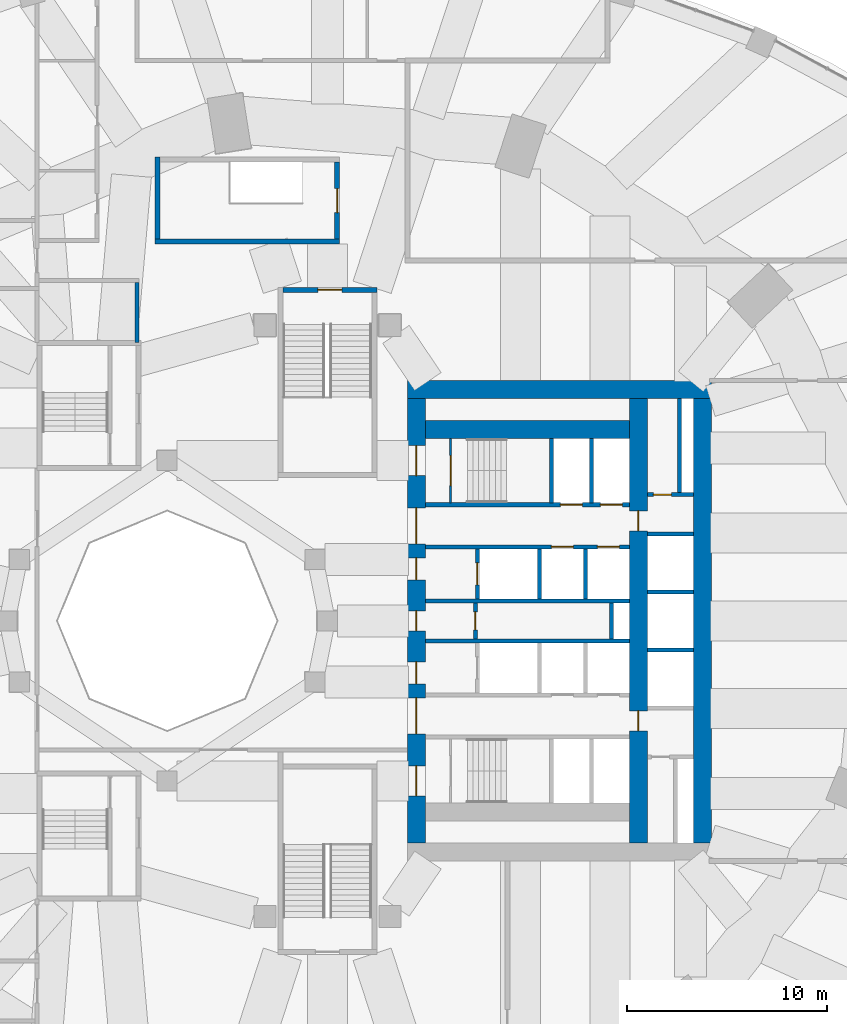
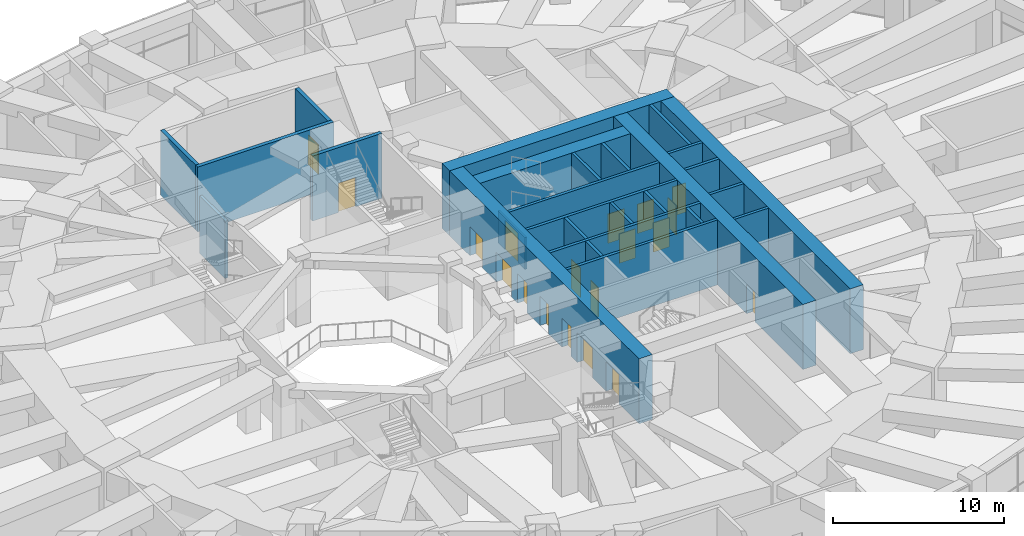
# One storey, part 23 of 30: 27 walls, 19 doors, 19 openings.
"""IFC4 building model written with IfcOpenShell, lengths in metres."""

from ifc_helpers import new_model, si_unit, direction, frame, frame_2d, origin, place, context, subcontext, project, spatial, rectangle, extrude, material, layer, layer_set, type_object, element, fill, save


model = new_model("IFC4")

# Units and contexts
model_context = context("Model", 3, precision=1e-05, world=origin(), true_north=direction((0.0, 1.0)))
body_context = subcontext(model_context, "Body", "Model", "MODEL_VIEW")
ifc_project = project(units=[si_unit("LENGTHUNIT", "METRE"), si_unit("AREAUNIT", "SQUARE_METRE"), si_unit("VOLUMEUNIT", "CUBIC_METRE"), si_unit("PLANEANGLEUNIT", "RADIAN"), si_unit("MASSUNIT", "GRAM", prefix="KILO")], contexts=[model_context])

# Site, building, storey
site_placement = place(None, origin())
site = spatial("IfcSite", under=ifc_project, at=site_placement, CompositionType="ELEMENT")
building_placement = place(site_placement, origin())
building = spatial("IfcBuilding", under=site, at=building_placement, Name="Taillehof Tower", CompositionType="ELEMENT")
storey_placement = place(building_placement, frame((0.0, 0.0, 12.5)))
storey = spatial("IfcBuildingStorey", under=building, at=storey_placement, Name="L02", CompositionType="ELEMENT", Elevation=12.5)

# Wall
ifc_material_1 = material(Name="Calcium silicate blockwork", Category="masonry")
ifc_layer_1 = layer(ifc_material_1, 0.199951171875)
ifc_layer_set_1 = layer_set([ifc_layer_1], Name="Compartment wall EI 60 200 mm")
wall_type_1 = type_object("IfcWallType", Name="Compartment wall EI 60 200 mm", PredefinedType="PARTITIONING", material=ifc_layer_set_1)
wall_1_placement = place(storey_placement, frame((-9.5, 13.89990234375, 0.0), z_axis=(0.0, 0.0, 1.0), x_axis=(0.0, 1.0, 0.0)))
element("IfcWall", 1, at=wall_1_placement, inside=storey, type_object=wall_type_1, Name="Wall L02-09 / L02-26", PredefinedType="PARTITIONING", context=body_context, shape_type="SweptSolid", body=[
    extrude(rectangle(XDim=3.0, YDim=0.199951171875, at=frame_2d((1.5, 0.0))), origin(), (0.0, 0.0, 1.0), 4.10009765625),
])

# Wall, opening, door
ifc_material_2 = material(Name="Calcium silicate masonry", Category="masonry")
ifc_layer_2 = layer(ifc_material_2, 0.199951171875)
ifc_layer_set_2 = layer_set([ifc_layer_2], Name="Compartment wall calcium silicate 200")
wall_type_2 = type_object("IfcWallType", Name="Compartment wall calcium silicate 200", PredefinedType="PARTITIONING", material=ifc_layer_set_2)
wall_2_placement = place(storey_placement, frame((7.39990234375, -0.89990234375, 0.0), z_axis=(0.0, 0.0, 1.0), x_axis=(0.0, 1.0, 0.0)))
wall_2 = element("IfcWall", 2, at=wall_2_placement, inside=storey, type_object=wall_type_2, Name="Compartment wall FW", PredefinedType="PARTITIONING", context=body_context, shape_type="SweptSolid", body=[
    extrude(rectangle(XDim=1.7998046875, YDim=0.199951171875, at=frame_2d((0.89990234375, 0.0))), origin(), (0.0, 0.0, 1.0), 4.64990234375),
])
opening_1_placement = place(wall_2_placement, frame((0.449951171875, 0.0, 0.0)))
opening_1 = element("IfcOpeningElement", 3, at=opening_1_placement, cuts=wall_2, Name="Opening D0212", PredefinedType="OPENING", context=body_context, shape_type="SweptSolid", body=[
    extrude(rectangle(XDim=0.89990234375, YDim=2.10009765625, at=frame_2d((0.449951171875, 1.050048828125))), frame((0.0, 0.10986328125, 0.0), z_axis=(0.0, -1.0, 0.0), x_axis=(1.0, 0.0, 0.0)), (0.0, 0.0, 1.0), 0.219970703125),
])
ifc_material_3 = material(Name="Steel-faced fire door", Category="steel")
door_type_1 = type_object("IfcDoorType", Name="Riser and service room door 900x2100", OperationType="SINGLE_SWING_LEFT", PredefinedType="DOOR", material=ifc_material_3)
door_1_placement = place(opening_1_placement, origin())
door_1 = element("IfcDoor", 4, at=door_1_placement, inside=storey, type_object=door_type_1, Name="Door Linen Store", OperationType="SINGLE_SWING_RIGHT", OverallHeight=2.10009765625, OverallWidth=0.89990234375, PredefinedType="DOOR", context=body_context, shape_type="SweptSolid", body=[
    extrude(rectangle(XDim=0.89990234375, YDim=2.10009765625, at=frame_2d((0.449951171875, 1.050048828125))), frame((0.0, 0.02490234375, 0.0), z_axis=(0.0, -1.0, 0.0), x_axis=(1.0, 0.0, 0.0)), (0.0, 0.0, 1.0), 0.050048828125),
])
fill(opening_1, door_1)

# Wall
wall_3_placement = place(storey_placement, frame((14.199951171875, -0.89990234375, 0.0), z_axis=(0.0, 0.0, 1.0), x_axis=(0.0, 1.0, 0.0)))
element("IfcWall", 5, at=wall_3_placement, inside=storey, type_object=wall_type_2, Name="Compartment wall FW", PredefinedType="PARTITIONING", context=body_context, shape_type="SweptSolid", body=[
    extrude(rectangle(XDim=1.7998046875, YDim=0.199951171875, at=frame_2d((0.89990234375, 0.0))), origin(), (0.0, 0.0, 1.0), 4.64990234375),
])

# Wall, opening, door
wall_4_placement = place(storey_placement, frame((16.0, 6.300048828125, 0.0), z_axis=(0.0, 0.0, 1.0), x_axis=(1.0, 0.0, 0.0)))
wall_4 = element("IfcWall", 6, at=wall_4_placement, inside=storey, type_object=wall_type_2, Name="Compartment wall FW", PredefinedType="PARTITIONING", context=body_context, shape_type="SweptSolid", body=[
    extrude(rectangle(XDim=2.300048828125, YDim=0.199951171875, at=frame_2d((1.14990234375, 0.0))), origin(), (0.0, 0.0, 1.0), 4.64990234375),
])
opening_2_placement = place(wall_4_placement, frame((0.300048828125, 0.0, 0.0)))
opening_2 = element("IfcOpeningElement", 7, at=opening_2_placement, cuts=wall_4, Name="Opening D0214", PredefinedType="OPENING", context=body_context, shape_type="SweptSolid", body=[
    extrude(rectangle(XDim=0.89990234375, YDim=2.10009765625, at=frame_2d((0.449951171875, 1.050048828125))), frame((0.0, 0.10986328125, 0.0), z_axis=(0.0, -1.0, 0.0), x_axis=(1.0, 0.0, 0.0)), (0.0, 0.0, 1.0), 0.219970703125),
])
door_2_placement = place(opening_2_placement, origin())
door_2 = element("IfcDoor", 8, at=door_2_placement, inside=storey, type_object=door_type_1, Name="Door Battery Room", OperationType="SINGLE_SWING_RIGHT", OverallHeight=2.10009765625, OverallWidth=0.89990234375, PredefinedType="DOOR", context=body_context, shape_type="SweptSolid", body=[
    extrude(rectangle(XDim=0.89990234375, YDim=2.10009765625, at=frame_2d((0.449951171875, 1.050048828125))), frame((0.0, 0.02490234375, 0.0), z_axis=(0.0, -1.0, 0.0), x_axis=(1.0, 0.0, 0.0)), (0.0, 0.0, 1.0), 0.050048828125),
])
fill(opening_2, door_2)

# Wall
wall_5_placement = place(storey_placement, frame((17.60009765625, 6.39990234375, 0.0), z_axis=(0.0, 0.0, 1.0), x_axis=(0.0, 1.0, 0.0)))
element("IfcWall", 9, at=wall_5_placement, inside=storey, type_object=wall_type_2, Name="Compartment wall FW", PredefinedType="PARTITIONING", context=body_context, shape_type="SweptSolid", body=[
    extrude(rectangle(XDim=4.7001953125, YDim=0.199951171875, at=frame_2d((2.35009765625, 0.0))), origin(), (0.0, 0.0, 1.0), 4.64990234375),
])

# Wall, openings, doors
ifc_material_4 = material(Name="Concrete C80/95", Category="concrete")
ifc_layer_3 = layer(ifc_material_4, 0.89990234375)
ifc_layer_set_3 = layer_set([ifc_layer_3], Name="Core wall C80/95 900")
wall_type_3 = type_object("IfcWallType", Name="Core wall C80/95 900", PredefinedType="SHEAR", material=ifc_layer_set_3)
wall_6_placement = place(storey_placement, frame((4.449951171875, -11.10009765625, 0.0), z_axis=(0.0, 0.0, 1.0), x_axis=(0.0, 1.0, 0.0)))
wall_6 = element("IfcWall", 10, at=wall_6_placement, inside=storey, type_object=wall_type_3, Name="Core wall CW01", PredefinedType="SHEAR", context=body_context, shape_type="SweptSolid", body=[
    extrude(rectangle(XDim=22.2001953125, YDim=0.89990234375, at=frame_2d((11.10009765625, 0.0))), origin(), (0.0, 0.0, 1.0), 4.64990234375),
])
opening_3_placement = place(wall_6_placement, frame((2.35009765625, 0.0, 0.0)))
opening_3 = element("IfcOpeningElement", 11, at=opening_3_placement, cuts=wall_6, Name="Opening D0201", PredefinedType="OPENING", context=body_context, shape_type="SweptSolid", body=[
    extrude(rectangle(XDim=1.5, YDim=2.10009765625, at=frame_2d((0.75, 1.050048828125))), frame((0.0, 0.4599609375, 0.0), z_axis=(0.0, -1.0, 0.0), x_axis=(1.0, 0.0, 0.0)), (0.0, 0.0, 1.0), 0.919921875),
])
opening_4_placement = place(wall_6_placement, frame((5.449951171875, 0.0, 0.0)))
opening_4 = element("IfcOpeningElement", 12, at=opening_4_placement, cuts=wall_6, Name="Opening D0202", PredefinedType="OPENING", context=body_context, shape_type="SweptSolid", body=[
    extrude(rectangle(XDim=1.800048828125, YDim=2.10009765625, at=frame_2d((0.89990234375, 1.050048828125))), frame((0.0, 0.4599609375, 0.0), z_axis=(0.0, -1.0, 0.0), x_axis=(1.0, 0.0, 0.0)), (0.0, 0.0, 1.0), 0.919921875),
])
opening_5_placement = place(wall_6_placement, frame((7.949951171875, 0.0, 0.0)))
opening_5 = element("IfcOpeningElement", 13, at=opening_5_placement, cuts=wall_6, Name="Opening D0203", PredefinedType="OPENING", context=body_context, shape_type="SweptSolid", body=[
    extrude(rectangle(XDim=1.10009765625, YDim=2.10009765625, at=frame_2d((0.550048828125, 1.050048828125))), frame((0.0, 0.4599609375, 0.0), z_axis=(0.0, -1.0, 0.0), x_axis=(1.0, 0.0, 0.0)), (0.0, 0.0, 1.0), 0.919921875),
])
opening_6_placement = place(wall_6_placement, frame((10.60009765625, 0.0, 0.0)))
opening_6 = element("IfcOpeningElement", 14, at=opening_6_placement, cuts=wall_6, Name="Opening D0204", PredefinedType="OPENING", context=body_context, shape_type="SweptSolid", body=[
    extrude(rectangle(XDim=1.0, YDim=2.10009765625, at=frame_2d((0.5, 1.050048828125))), frame((0.0, 0.4599609375, 0.0), z_axis=(0.0, -1.0, 0.0), x_axis=(1.0, 0.0, 0.0)), (0.0, 0.0, 1.0), 0.919921875),
])
opening_7_placement = place(wall_6_placement, frame((13.14990234375, 0.0, 0.0)))
opening_7 = element("IfcOpeningElement", 15, at=opening_7_placement, cuts=wall_6, Name="Opening D0205", PredefinedType="OPENING", context=body_context, shape_type="SweptSolid", body=[
    extrude(rectangle(XDim=1.10009765625, YDim=2.10009765625, at=frame_2d((0.550048828125, 1.050048828125))), frame((0.0, 0.4599609375, 0.0), z_axis=(0.0, -1.0, 0.0), x_axis=(1.0, 0.0, 0.0)), (0.0, 0.0, 1.0), 0.919921875),
])
opening_8_placement = place(wall_6_placement, frame((14.949951171875, 0.0, 0.0)))
opening_8 = element("IfcOpeningElement", 16, at=opening_8_placement, cuts=wall_6, Name="Opening D0206", PredefinedType="OPENING", context=body_context, shape_type="SweptSolid", body=[
    extrude(rectangle(XDim=1.800048828125, YDim=2.10009765625, at=frame_2d((0.89990234375, 1.050048828125))), frame((0.0, 0.4599609375, 0.0), z_axis=(0.0, -1.0, 0.0), x_axis=(1.0, 0.0, 0.0)), (0.0, 0.0, 1.0), 0.919921875),
])
opening_9_placement = place(wall_6_placement, frame((18.35009765625, 0.0, 0.0)))
opening_9 = element("IfcOpeningElement", 17, at=opening_9_placement, cuts=wall_6, Name="Opening D0207", PredefinedType="OPENING", context=body_context, shape_type="SweptSolid", body=[
    extrude(rectangle(XDim=1.5, YDim=2.10009765625, at=frame_2d((0.75, 1.050048828125))), frame((0.0, 0.4599609375, 0.0), z_axis=(0.0, -1.0, 0.0), x_axis=(1.0, 0.0, 0.0)), (0.0, 0.0, 1.0), 0.919921875),
])
ifc_material_5 = material(Name="Steel-faced fire door", Category="steel")
door_type_2 = type_object("IfcDoorType", Name="Firefighting lobby door 1100x2100", OperationType="SINGLE_SWING_RIGHT", PredefinedType="DOOR", material=ifc_material_5)
door_3_placement = place(opening_5_placement, origin())
door_3 = element("IfcDoor", 18, at=door_3_placement, inside=storey, type_object=door_type_2, Name="Firefighting lobby door FFL-S", OperationType="SINGLE_SWING_LEFT", OverallHeight=2.10009765625, OverallWidth=1.10009765625, PredefinedType="DOOR", context=body_context, shape_type="SweptSolid", body=[
    extrude(rectangle(XDim=1.10009765625, YDim=2.10009765625, at=frame_2d((0.550048828125, 1.050048828125))), frame((0.0, 0.02490234375, 0.0), z_axis=(0.0, -1.0, 0.0), x_axis=(1.0, 0.0, 0.0)), (0.0, 0.0, 1.0), 0.050048828125),
])
fill(opening_5, door_3)
door_4_placement = place(opening_7_placement, origin())
door_4 = element("IfcDoor", 19, at=door_4_placement, inside=storey, type_object=door_type_2, Name="Firefighting lobby door FFL-N", OperationType="SINGLE_SWING_RIGHT", OverallHeight=2.10009765625, OverallWidth=1.10009765625, PredefinedType="DOOR", context=body_context, shape_type="SweptSolid", body=[
    extrude(rectangle(XDim=1.10009765625, YDim=2.10009765625, at=frame_2d((0.550048828125, 1.050048828125))), frame((0.0, 0.02490234375, 0.0), z_axis=(0.0, -1.0, 0.0), x_axis=(1.0, 0.0, 0.0)), (0.0, 0.0, 1.0), 0.050048828125),
])
fill(opening_7, door_4)
ifc_material_6 = material(Name="Steel-faced fire door", Category="steel")
door_type_3 = type_object("IfcDoorType", Name="Lift lobby door 1800x2100", OperationType="DOUBLE_DOOR_SINGLE_SWING", PredefinedType="DOOR", material=ifc_material_6)
door_5_placement = place(opening_4_placement, origin())
door_5 = element("IfcDoor", 20, at=door_5_placement, inside=storey, type_object=door_type_3, Name="Lift lobby door LL-S", OperationType="DOUBLE_DOOR_SINGLE_SWING", OverallHeight=2.10009765625, OverallWidth=1.800048828125, PredefinedType="DOOR", context=body_context, shape_type="SweptSolid", body=[
    extrude(rectangle(XDim=1.800048828125, YDim=2.10009765625, at=frame_2d((0.89990234375, 1.050048828125))), frame((0.0, 0.02490234375, 0.0), z_axis=(0.0, -1.0, 0.0), x_axis=(1.0, 0.0, 0.0)), (0.0, 0.0, 1.0), 0.050048828125),
])
fill(opening_4, door_5)
door_6_placement = place(opening_8_placement, origin())
door_6 = element("IfcDoor", 21, at=door_6_placement, inside=storey, type_object=door_type_3, Name="Lift lobby door LL-N", OperationType="DOUBLE_DOOR_SINGLE_SWING", OverallHeight=2.10009765625, OverallWidth=1.800048828125, PredefinedType="DOOR", context=body_context, shape_type="SweptSolid", body=[
    extrude(rectangle(XDim=1.800048828125, YDim=2.10009765625, at=frame_2d((0.89990234375, 1.050048828125))), frame((0.0, 0.02490234375, 0.0), z_axis=(0.0, -1.0, 0.0), x_axis=(1.0, 0.0, 0.0)), (0.0, 0.0, 1.0), 0.050048828125),
])
fill(opening_8, door_6)
ifc_material_7 = material(Name="Steel-faced fire door", Category="steel")
door_type_4 = type_object("IfcDoorType", Name="Service door 1000x2100", OperationType="SINGLE_SWING_RIGHT", PredefinedType="DOOR", material=ifc_material_7)
door_7_placement = place(opening_6_placement, origin())
door_7 = element("IfcDoor", 22, at=door_7_placement, inside=storey, type_object=door_type_4, Name="Service door SV", OperationType="SINGLE_SWING_LEFT", OverallHeight=2.10009765625, OverallWidth=1.0, PredefinedType="DOOR", context=body_context, shape_type="SweptSolid", body=[
    extrude(rectangle(XDim=1.0, YDim=2.10009765625, at=frame_2d((0.5, 1.050048828125))), frame((0.0, 0.02490234375, 0.0), z_axis=(0.0, -1.0, 0.0), x_axis=(1.0, 0.0, 0.0)), (0.0, 0.0, 1.0), 0.050048828125),
])
fill(opening_6, door_7)
ifc_material_8 = material(Name="Steel-faced fire door", Category="steel")
door_type_5 = type_object("IfcDoorType", Name="Stair door 1500x2100", OperationType="DOUBLE_DOOR_SINGLE_SWING", PredefinedType="DOOR", material=ifc_material_8)
door_8_placement = place(opening_3_placement, origin())
door_8 = element("IfcDoor", 23, at=door_8_placement, inside=storey, type_object=door_type_5, Name="Stair door S2", OperationType="DOUBLE_DOOR_SINGLE_SWING", OverallHeight=2.10009765625, OverallWidth=1.5, PredefinedType="DOOR", context=body_context, shape_type="SweptSolid", body=[
    extrude(rectangle(XDim=1.5, YDim=2.10009765625, at=frame_2d((0.75, 1.050048828125))), frame((0.0, 0.02490234375, 0.0), z_axis=(0.0, -1.0, 0.0), x_axis=(1.0, 0.0, 0.0)), (0.0, 0.0, 1.0), 0.050048828125),
])
fill(opening_3, door_8)
door_9_placement = place(opening_9_placement, origin())
door_9 = element("IfcDoor", 24, at=door_9_placement, inside=storey, type_object=door_type_5, Name="Stair door S1", OperationType="DOUBLE_DOOR_SINGLE_SWING", OverallHeight=2.10009765625, OverallWidth=1.5, PredefinedType="DOOR", context=body_context, shape_type="SweptSolid", body=[
    extrude(rectangle(XDim=1.5, YDim=2.10009765625, at=frame_2d((0.75, 1.050048828125))), frame((0.0, 0.02490234375, 0.0), z_axis=(0.0, -1.0, 0.0), x_axis=(1.0, 0.0, 0.0)), (0.0, 0.0, 1.0), 0.050048828125),
])
fill(opening_9, door_9)

# Walls
wall_7_placement = place(storey_placement, frame((18.75, -11.10009765625, 0.0), z_axis=(0.0, 0.0, 1.0), x_axis=(0.0, 1.0, 0.0)))
element("IfcWall", 25, at=wall_7_placement, inside=storey, type_object=wall_type_3, Name="Core wall CW02", PredefinedType="SHEAR", context=body_context, shape_type="SweptSolid", body=[
    extrude(rectangle(XDim=22.2001953125, YDim=0.89990234375, at=frame_2d((11.10009765625, 0.0))), origin(), (0.0, 0.0, 1.0), 4.64990234375),
])
wall_8_placement = place(storey_placement, frame((4.0, 11.550048828125, 0.0), z_axis=(0.0, 0.0, 1.0), x_axis=(1.0, 0.0, 0.0)))
element("IfcWall", 26, at=wall_8_placement, inside=storey, type_object=wall_type_3, Name="Core wall CW03", PredefinedType="SHEAR", context=body_context, shape_type="SweptSolid", body=[
    extrude(rectangle(XDim=15.199951171875, YDim=0.89990234375, at=frame_2d((7.60009765625, 0.0))), origin(), (0.0, 0.0, 1.0), 4.64990234375),
])

# Wall, openings, doors
wall_9_placement = place(storey_placement, frame((15.550048828125, -11.10009765625, 0.0), z_axis=(0.0, 0.0, 1.0), x_axis=(0.0, 1.0, 0.0)))
wall_9 = element("IfcWall", 27, at=wall_9_placement, inside=storey, type_object=wall_type_3, Name="Core wall CW05", PredefinedType="SHEAR", context=body_context, shape_type="SweptSolid", body=[
    extrude(rectangle(XDim=22.2001953125, YDim=0.89990234375, at=frame_2d((11.10009765625, 0.0))), origin(), (0.0, 0.0, 1.0), 4.64990234375),
])
opening_10_placement = place(wall_9_placement, frame((15.60009765625, 0.0, 0.0)))
opening_10 = element("IfcOpeningElement", 28, at=opening_10_placement, cuts=wall_9, Name="Opening D0213", PredefinedType="OPENING", context=body_context, shape_type="SweptSolid", body=[
    extrude(rectangle(XDim=1.0, YDim=2.10009765625, at=frame_2d((0.5, 1.050048828125))), frame((0.0, 0.4599609375, 0.0), z_axis=(0.0, -1.0, 0.0), x_axis=(1.0, 0.0, 0.0)), (0.0, 0.0, 1.0), 0.919921875),
])
opening_11_placement = place(wall_9_placement, frame((5.60009765625, 0.0, 0.0)))
opening_11 = element("IfcOpeningElement", 29, at=opening_11_placement, cuts=wall_9, Name="Opening D0215", PredefinedType="OPENING", context=body_context, shape_type="SweptSolid", body=[
    extrude(rectangle(XDim=1.0, YDim=2.10009765625, at=frame_2d((0.5, 1.050048828125))), frame((0.0, 0.4599609375, 0.0), z_axis=(0.0, -1.0, 0.0), x_axis=(1.0, 0.0, 0.0)), (0.0, 0.0, 1.0), 0.919921875),
])
door_10_placement = place(opening_10_placement, origin())
door_10 = element("IfcDoor", 30, at=door_10_placement, inside=storey, type_object=door_type_4, Name="Service door strip", OperationType="SINGLE_SWING_RIGHT", OverallHeight=2.10009765625, OverallWidth=1.0, PredefinedType="DOOR", context=body_context, shape_type="SweptSolid", body=[
    extrude(rectangle(XDim=1.0, YDim=2.10009765625, at=frame_2d((0.5, 1.050048828125))), frame((0.0, 0.02490234375, 0.0), z_axis=(0.0, -1.0, 0.0), x_axis=(1.0, 0.0, 0.0)), (0.0, 0.0, 1.0), 0.050048828125),
])
fill(opening_10, door_10)
door_11_placement = place(opening_11_placement, origin())
door_11 = element("IfcDoor", 31, at=door_11_placement, inside=storey, type_object=door_type_4, Name="Service door strip", OperationType="SINGLE_SWING_LEFT", OverallHeight=2.10009765625, OverallWidth=1.0, PredefinedType="DOOR", context=body_context, shape_type="SweptSolid", body=[
    extrude(rectangle(XDim=1.0, YDim=2.10009765625, at=frame_2d((0.5, 1.050048828125))), frame((0.0, 0.02490234375, 0.0), z_axis=(0.0, -1.0, 0.0), x_axis=(1.0, 0.0, 0.0)), (0.0, 0.0, 1.0), 0.050048828125),
])
fill(opening_11, door_11)

# Wall
wall_10_placement = place(storey_placement, frame((4.89990234375, 9.550048828125, 0.0), z_axis=(0.0, 0.0, 1.0), x_axis=(1.0, 0.0, 0.0)))
element("IfcWall", 32, at=wall_10_placement, inside=storey, type_object=wall_type_3, Name="Core wall CW06", PredefinedType="SHEAR", context=body_context, shape_type="SweptSolid", body=[
    extrude(rectangle(XDim=10.2001953125, YDim=0.89990234375, at=frame_2d((5.10009765625, 0.0))), origin(), (0.0, 0.0, 1.0), 4.64990234375),
])

# Wall, openings, doors
ifc_material_9 = material(Name="Concrete C50/60", Category="concrete")
ifc_layer_4 = layer(ifc_material_9, 0.199951171875)
ifc_layer_set_4 = layer_set([ifc_layer_4], Name="Shaft wall C50/60 200")
wall_type_4 = type_object("IfcWallType", Name="Shaft wall C50/60 200", PredefinedType="SHEAR", material=ifc_layer_set_4)
wall_11_placement = place(storey_placement, frame((4.89990234375, 5.800048828125, 0.0), z_axis=(0.0, 0.0, 1.0), x_axis=(1.0, 0.0, 0.0)))
wall_11 = element("IfcWall", 33, at=wall_11_placement, inside=storey, type_object=wall_type_4, Name="Shaft wall SW", PredefinedType="SHEAR", context=body_context, shape_type="SweptSolid", body=[
    extrude(rectangle(XDim=10.2001953125, YDim=0.199951171875, at=frame_2d((5.10009765625, 0.0))), origin(), (0.0, 0.0, 1.0), 4.64990234375),
])
opening_12_placement = place(wall_11_placement, frame((6.75, 0.0, 0.0)))
opening_12 = element("IfcOpeningElement", 34, at=opening_12_placement, cuts=wall_11, Name="Opening LD1", PredefinedType="OPENING", context=body_context, shape_type="SweptSolid", body=[
    extrude(rectangle(XDim=1.10009765625, YDim=2.10009765625, at=frame_2d((0.550048828125, 1.050048828125))), frame((0.0, 0.10986328125, 0.0), z_axis=(0.0, -1.0, 0.0), x_axis=(1.0, 0.0, 0.0)), (0.0, 0.0, 1.0), 0.219970703125),
])
opening_13_placement = place(wall_11_placement, frame((8.75, 0.0, 0.0)))
opening_13 = element("IfcOpeningElement", 35, at=opening_13_placement, cuts=wall_11, Name="Opening LD1", PredefinedType="OPENING", context=body_context, shape_type="SweptSolid", body=[
    extrude(rectangle(XDim=1.10009765625, YDim=2.10009765625, at=frame_2d((0.550048828125, 1.050048828125))), frame((0.0, 0.10986328125, 0.0), z_axis=(0.0, -1.0, 0.0), x_axis=(1.0, 0.0, 0.0)), (0.0, 0.0, 1.0), 0.219970703125),
])
ifc_material_10 = material(Name="Stainless steel", Category="steel")
door_type_6 = type_object("IfcDoorType", Name="Lift landing door LD1 1100x2100", OperationType="DOUBLE_DOOR_SLIDING", PredefinedType="DOOR", material=ifc_material_10)
door_12_placement = place(opening_12_placement, origin())
door_12 = element("IfcDoor", 36, at=door_12_placement, inside=storey, type_object=door_type_6, Name="Landing door LR1", OperationType="DOUBLE_DOOR_SLIDING", OverallHeight=2.10009765625, OverallWidth=1.10009765625, PredefinedType="DOOR", context=body_context, shape_type="SweptSolid", body=[
    extrude(rectangle(XDim=1.10009765625, YDim=2.10009765625, at=frame_2d((0.550048828125, 1.050048828125))), frame((0.0, 0.02490234375, 0.0), z_axis=(0.0, -1.0, 0.0), x_axis=(1.0, 0.0, 0.0)), (0.0, 0.0, 1.0), 0.050048828125),
])
fill(opening_12, door_12)
door_13_placement = place(opening_13_placement, origin())
door_13 = element("IfcDoor", 37, at=door_13_placement, inside=storey, type_object=door_type_6, Name="Landing door LR2", OperationType="DOUBLE_DOOR_SLIDING", OverallHeight=2.10009765625, OverallWidth=1.10009765625, PredefinedType="DOOR", context=body_context, shape_type="SweptSolid", body=[
    extrude(rectangle(XDim=1.10009765625, YDim=2.10009765625, at=frame_2d((0.550048828125, 1.050048828125))), frame((0.0, 0.02490234375, 0.0), z_axis=(0.0, -1.0, 0.0), x_axis=(1.0, 0.0, 0.0)), (0.0, 0.0, 1.0), 0.050048828125),
])
fill(opening_13, door_13)

wall_12_placement = place(storey_placement, frame((4.89990234375, 3.699951171875, 0.0), z_axis=(0.0, 0.0, 1.0), x_axis=(1.0, 0.0, 0.0)))
wall_12 = element("IfcWall", 38, at=wall_12_placement, inside=storey, type_object=wall_type_4, Name="Shaft wall SW", PredefinedType="SHEAR", context=body_context, shape_type="SweptSolid", body=[
    extrude(rectangle(XDim=10.2001953125, YDim=0.199951171875, at=frame_2d((5.10009765625, 0.0))), origin(), (0.0, 0.0, 1.0), 4.64990234375),
])
opening_14_placement = place(wall_12_placement, frame((6.300048828125, 0.0, 0.0)))
opening_14 = element("IfcOpeningElement", 39, at=opening_14_placement, cuts=wall_12, Name="Opening LD1", PredefinedType="OPENING", context=body_context, shape_type="SweptSolid", body=[
    extrude(rectangle(XDim=1.10009765625, YDim=2.10009765625, at=frame_2d((0.550048828125, 1.050048828125))), frame((0.0, 0.10986328125, 0.0), z_axis=(0.0, -1.0, 0.0), x_axis=(1.0, 0.0, 0.0)), (0.0, 0.0, 1.0), 0.219970703125),
])
opening_15_placement = place(wall_12_placement, frame((8.60009765625, 0.0, 0.0)))
opening_15 = element("IfcOpeningElement", 40, at=opening_15_placement, cuts=wall_12, Name="Opening LD1", PredefinedType="OPENING", context=body_context, shape_type="SweptSolid", body=[
    extrude(rectangle(XDim=1.10009765625, YDim=2.10009765625, at=frame_2d((0.550048828125, 1.050048828125))), frame((0.0, 0.10986328125, 0.0), z_axis=(0.0, -1.0, 0.0), x_axis=(1.0, 0.0, 0.0)), (0.0, 0.0, 1.0), 0.219970703125),
])
door_14_placement = place(opening_14_placement, origin())
door_14 = element("IfcDoor", 41, at=door_14_placement, inside=storey, type_object=door_type_6, Name="Landing door LR3", OperationType="DOUBLE_DOOR_SLIDING", OverallHeight=2.10009765625, OverallWidth=1.10009765625, PredefinedType="DOOR", context=body_context, shape_type="SweptSolid", body=[
    extrude(rectangle(XDim=1.10009765625, YDim=2.10009765625, at=frame_2d((0.550048828125, 1.050048828125))), frame((0.0, 0.02490234375, 0.0), z_axis=(0.0, -1.0, 0.0), x_axis=(1.0, 0.0, 0.0)), (0.0, 0.0, 1.0), 0.050048828125),
])
fill(opening_14, door_14)
door_15_placement = place(opening_15_placement, origin())
door_15 = element("IfcDoor", 42, at=door_15_placement, inside=storey, type_object=door_type_6, Name="Landing door LR4", OperationType="DOUBLE_DOOR_SLIDING", OverallHeight=2.10009765625, OverallWidth=1.10009765625, PredefinedType="DOOR", context=body_context, shape_type="SweptSolid", body=[
    extrude(rectangle(XDim=1.10009765625, YDim=2.10009765625, at=frame_2d((0.550048828125, 1.050048828125))), frame((0.0, 0.02490234375, 0.0), z_axis=(0.0, -1.0, 0.0), x_axis=(1.0, 0.0, 0.0)), (0.0, 0.0, 1.0), 0.050048828125),
])
fill(opening_15, door_15)

# Walls
for number, where, z_axis, x_axis, name in (
    (43, (4.89990234375, 1.0, 0.0), (0.0, 0.0, 1.0), (1.0, 0.0, 0.0), "Shaft wall SW"),
    (44, (4.89990234375, -1.0, 0.0), (0.0, 0.0, 1.0), (1.0, 0.0, 0.0), "Shaft wall SW"),
):
    element("IfcWall", number, at=place(storey_placement, frame(where, z_axis=z_axis, x_axis=x_axis)), inside=storey, type_object=wall_type_4, Name=name, PredefinedType="SHEAR", context=body_context, shape_type="SweptSolid", body=[
        extrude(rectangle(XDim=10.2001953125, YDim=0.199951171875, at=frame_2d((5.10009765625, 0.0))), origin(), (0.0, 0.0, 1.0), 4.64990234375),
    ])
for number, where, z_axis, x_axis, name in (
    (45, (11.199951171875, 5.89990234375, 0.0), (0.0, 0.0, 1.0), (0.0, 1.0, 0.0), "Shaft wall SW"),
    (46, (13.199951171875, 5.89990234375, 0.0), (0.0, 0.0, 1.0), (0.0, 1.0, 0.0), "Shaft wall SW"),
):
    element("IfcWall", number, at=place(storey_placement, frame(where, z_axis=z_axis, x_axis=x_axis)), inside=storey, type_object=wall_type_4, Name=name, PredefinedType="SHEAR", context=body_context, shape_type="SweptSolid", body=[
        extrude(rectangle(XDim=3.2001953125, YDim=0.199951171875, at=frame_2d((1.60009765625, 0.0))), origin(), (0.0, 0.0, 1.0), 4.64990234375),
    ])

# Wall, opening, door
wall_13_placement = place(storey_placement, frame((7.5, 1.10009765625, 0.0), z_axis=(0.0, 0.0, 1.0), x_axis=(0.0, 1.0, 0.0)))
wall_13 = element("IfcWall", 47, at=wall_13_placement, inside=storey, type_object=wall_type_4, Name="Shaft wall SW", PredefinedType="SHEAR", context=body_context, shape_type="SweptSolid", body=[
    extrude(rectangle(XDim=2.5, YDim=0.199951171875, at=frame_2d((1.25, 0.0))), origin(), (0.0, 0.0, 1.0), 4.64990234375),
])
opening_16_placement = place(wall_13_placement, frame((0.699951171875, 0.0, 0.0)))
opening_16 = element("IfcOpeningElement", 48, at=opening_16_placement, cuts=wall_13, Name="Opening LD1", PredefinedType="OPENING", context=body_context, shape_type="SweptSolid", body=[
    extrude(rectangle(XDim=1.10009765625, YDim=2.10009765625, at=frame_2d((0.550048828125, 1.050048828125))), frame((0.0, 0.10986328125, 0.0), z_axis=(0.0, -1.0, 0.0), x_axis=(1.0, 0.0, 0.0)), (0.0, 0.0, 1.0), 0.219970703125),
])
door_16_placement = place(opening_16_placement, origin())
door_16 = element("IfcDoor", 49, at=door_16_placement, inside=storey, type_object=door_type_6, Name="Landing door FF1", OperationType="DOUBLE_DOOR_SLIDING", OverallHeight=2.10009765625, OverallWidth=1.10009765625, PredefinedType="DOOR", context=body_context, shape_type="SweptSolid", body=[
    extrude(rectangle(XDim=1.10009765625, YDim=2.10009765625, at=frame_2d((0.550048828125, 1.050048828125))), frame((0.0, 0.02490234375, 0.0), z_axis=(0.0, -1.0, 0.0), x_axis=(1.0, 0.0, 0.0)), (0.0, 0.0, 1.0), 0.050048828125),
])
fill(opening_16, door_16)

# Walls
for number, where, z_axis, x_axis, name in (
    (50, (10.60009765625, 1.10009765625, 0.0), (0.0, 0.0, 1.0), (0.0, 1.0, 0.0), "Shaft wall SW"),
    (51, (12.89990234375, 1.10009765625, 0.0), (0.0, 0.0, 1.0), (0.0, 1.0, 0.0), "Shaft wall SW"),
):
    element("IfcWall", number, at=place(storey_placement, frame(where, z_axis=z_axis, x_axis=x_axis)), inside=storey, type_object=wall_type_4, Name=name, PredefinedType="SHEAR", context=body_context, shape_type="SweptSolid", body=[
        extrude(rectangle(XDim=2.5, YDim=0.199951171875, at=frame_2d((1.25, 0.0))), origin(), (0.0, 0.0, 1.0), 4.64990234375),
    ])
for number, where, z_axis, x_axis, name in (
    (52, (16.0, -1.449951171875, 0.0), (0.0, 0.0, 1.0), (1.0, 0.0, 0.0), "Shaft wall SW"),
    (53, (16.0, 1.449951171875, 0.0), (0.0, 0.0, 1.0), (1.0, 0.0, 0.0), "Shaft wall SW"),
    (54, (16.0, 4.35009765625, 0.0), (0.0, 0.0, 1.0), (1.0, 0.0, 0.0), "Shaft wall SW"),
):
    element("IfcWall", number, at=place(storey_placement, frame(where, z_axis=z_axis, x_axis=x_axis)), inside=storey, type_object=wall_type_4, Name=name, PredefinedType="SHEAR", context=body_context, shape_type="SweptSolid", body=[
        extrude(rectangle(XDim=2.300048828125, YDim=0.199951171875, at=frame_2d((1.14990234375, 0.0))), origin(), (0.0, 0.0, 1.0), 4.64990234375),
    ])

# Wall, opening, door
ifc_material_11 = material(Name="Concrete C50/60", Category="concrete")
ifc_layer_5 = layer(ifc_material_11, 0.1201171875)
ifc_layer_set_5 = layer_set([ifc_layer_5], Name="Stair lobby wall C50/60 120")
wall_type_5 = type_object("IfcWallType", Name="Stair lobby wall C50/60 120", PredefinedType="SHEAR", material=ifc_layer_set_5)
wall_14_placement = place(storey_placement, frame((6.159912109375, 5.89990234375, 0.0), z_axis=(0.0, 0.0, 1.0), x_axis=(0.0, 1.0, 0.0)))
wall_14 = element("IfcWall", 55, at=wall_14_placement, inside=storey, type_object=wall_type_5, Name="Compartment wall SW", PredefinedType="SHEAR", context=body_context, shape_type="SweptSolid", body=[
    extrude(rectangle(XDim=3.2001953125, YDim=0.1201171875, at=frame_2d((1.60009765625, 0.0))), origin(), (0.0, 0.0, 1.0), 2.2900390625),
])
opening_17_placement = place(wall_14_placement, frame((0.85009765625, 0.0, 0.0)))
opening_17 = element("IfcOpeningElement", 56, at=opening_17_placement, cuts=wall_14, Name="Opening D0208", PredefinedType="OPENING", context=body_context, shape_type="SweptSolid", body=[
    extrude(rectangle(XDim=1.5, YDim=2.10009765625, at=frame_2d((0.75, 1.050048828125))), frame((0.0, 0.070068359375, 0.0), z_axis=(0.0, -1.0, 0.0), x_axis=(1.0, 0.0, 0.0)), (0.0, 0.0, 1.0), 0.14013671875),
])
door_17_placement = place(opening_17_placement, origin())
door_17 = element("IfcDoor", 57, at=door_17_placement, inside=storey, type_object=door_type_5, Name="Stair lobby door S1", OperationType="DOUBLE_DOOR_SINGLE_SWING", OverallHeight=2.10009765625, OverallWidth=1.5, PredefinedType="DOOR", context=body_context, shape_type="SweptSolid", body=[
    extrude(rectangle(XDim=1.5, YDim=2.10009765625, at=frame_2d((0.75, 1.050048828125))), frame((0.0, 0.02490234375, 0.0), z_axis=(0.0, -1.0, 0.0), x_axis=(1.0, 0.0, 0.0)), (0.0, 0.0, 1.0), 0.050048828125),
])
fill(opening_17, door_17)

ifc_material_12 = material(Name="Concrete C40/50", Category="concrete")
ifc_layer_6 = layer(ifc_material_12, 0.25)
ifc_layer_set_6 = layer_set([ifc_layer_6], Name="Stair wall EI 120 250 mm")
wall_type_6 = type_object("IfcWallType", Name="Stair wall EI 120 250 mm", PredefinedType="SOLIDWALL", material=ifc_layer_set_6)
wall_15_placement = place(storey_placement, frame((-2.22509765625, 16.544921875, 0.0), z_axis=(0.0, 0.0, 1.0), x_axis=(1.0, 0.0, 0.0)))
wall_15 = element("IfcWall", 58, at=wall_15_placement, inside=storey, type_object=wall_type_6, Name="Wall L02-01 / L02-26", PredefinedType="SOLIDWALL", context=body_context, shape_type="SweptSolid", body=[
    extrude(rectangle(XDim=4.7001953125, YDim=0.25, at=frame_2d((2.35009765625, 0.0))), origin(), (0.0, 0.0, 1.0), 4.64990234375),
])
opening_18_placement = place(wall_15_placement, frame((1.75, 0.0, 0.0)))
opening_18 = element("IfcOpeningElement", 59, at=opening_18_placement, cuts=wall_15, Name="Opening D0263", PredefinedType="OPENING", context=body_context, shape_type="SweptSolid", body=[
    extrude(rectangle(XDim=1.199951171875, YDim=2.10009765625, at=frame_2d((0.60009765625, 1.050048828125))), frame((0.0, 0.135009765625, 0.0), z_axis=(0.0, -1.0, 0.0), x_axis=(1.0, 0.0, 0.0)), (0.0, 0.0, 1.0), 0.27001953125),
])
ifc_material_13 = material(Name="Hollow metal door set")
door_type_7 = type_object("IfcDoorType", Name="Single door 1200 x 2100 FD120S", OperationType="SINGLE_SWING_LEFT", PredefinedType="DOOR", material=ifc_material_13)
door_18_placement = place(opening_18_placement, origin())
door_18 = element("IfcDoor", 60, at=door_18_placement, inside=storey, type_object=door_type_7, Name="Door D0263", OperationType="SINGLE_SWING_RIGHT", OverallHeight=2.10009765625, OverallWidth=1.199951171875, PredefinedType="DOOR", context=body_context, shape_type="SweptSolid", body=[
    extrude(rectangle(XDim=1.199951171875, YDim=2.10009765625, at=frame_2d((0.60009765625, 1.050048828125))), frame((0.0, 0.02490234375, 0.0), z_axis=(0.0, -1.0, 0.0), x_axis=(1.0, 0.0, 0.0)), (0.0, 0.0, 1.0), 0.050048828125),
])
fill(opening_18, door_18)

# Walls
wall_16_placement = place(storey_placement, frame((-8.610107421875, 18.949951171875, 0.0), z_axis=(0.0, 0.0, 1.0), x_axis=(1.0, 0.0, 0.0)))
element("IfcWall", 61, at=wall_16_placement, inside=storey, type_object=wall_type_6, Name="Wall L02-03 / L02-26", PredefinedType="SOLIDWALL", context=body_context, shape_type="SweptSolid", body=[
    extrude(rectangle(XDim=9.22021484375, YDim=0.25, at=frame_2d((4.610107421875, 0.0))), origin(), (0.0, 0.0, 1.0), 4.64990234375),
])
wall_17_placement = place(storey_placement, frame((-8.485107421875, 19.074951171875, 0.0), z_axis=(0.0, 0.0, 1.0), x_axis=(0.0, 1.0, 0.0)))
element("IfcWall", 62, at=wall_17_placement, inside=storey, type_object=wall_type_6, Name="Wall L02-03 / L02-26", PredefinedType="SOLIDWALL", context=body_context, shape_type="SweptSolid", body=[
    extrude(rectangle(XDim=4.10009765625, YDim=0.25, at=frame_2d((2.050048828125, 0.0))), origin(), (0.0, 0.0, 1.0), 4.64990234375),
])

# Wall, opening, door
wall_18_placement = place(storey_placement, frame((0.485107421875, 19.074951171875, 0.0), z_axis=(0.0, 0.0, 1.0), x_axis=(0.0, 1.0, 0.0)))
wall_18 = element("IfcWall", 63, at=wall_18_placement, inside=storey, type_object=wall_type_6, Name="Wall L02-03 / L02-26", PredefinedType="SOLIDWALL", context=body_context, shape_type="SweptSolid", body=[
    extrude(rectangle(XDim=3.85009765625, YDim=0.25, at=frame_2d((1.925048828125, 0.0))), origin(), (0.0, 0.0, 1.0), 4.64990234375),
])
opening_19_placement = place(wall_18_placement, frame((1.324951171875, 0.0, 0.0)))
opening_19 = element("IfcOpeningElement", 64, at=opening_19_placement, cuts=wall_18, Name="Opening D0270", PredefinedType="OPENING", context=body_context, shape_type="SweptSolid", body=[
    extrude(rectangle(XDim=1.199951171875, YDim=2.10009765625, at=frame_2d((0.60009765625, 1.050048828125))), frame((0.0, 0.135009765625, 0.0), z_axis=(0.0, -1.0, 0.0), x_axis=(1.0, 0.0, 0.0)), (0.0, 0.0, 1.0), 0.27001953125),
])
door_19_placement = place(opening_19_placement, origin())
door_19 = element("IfcDoor", 65, at=door_19_placement, inside=storey, type_object=door_type_7, Name="Door D0270", OperationType="SINGLE_SWING_RIGHT", OverallHeight=2.10009765625, OverallWidth=1.199951171875, PredefinedType="DOOR", context=body_context, shape_type="SweptSolid", body=[
    extrude(rectangle(XDim=1.199951171875, YDim=2.10009765625, at=frame_2d((0.60009765625, 1.050048828125))), frame((0.0, 0.02490234375, 0.0), z_axis=(0.0, -1.0, 0.0), x_axis=(1.0, 0.0, 0.0)), (0.0, 0.0, 1.0), 0.050048828125),
])
fill(opening_19, door_19)

save(model, "model.ifc")
